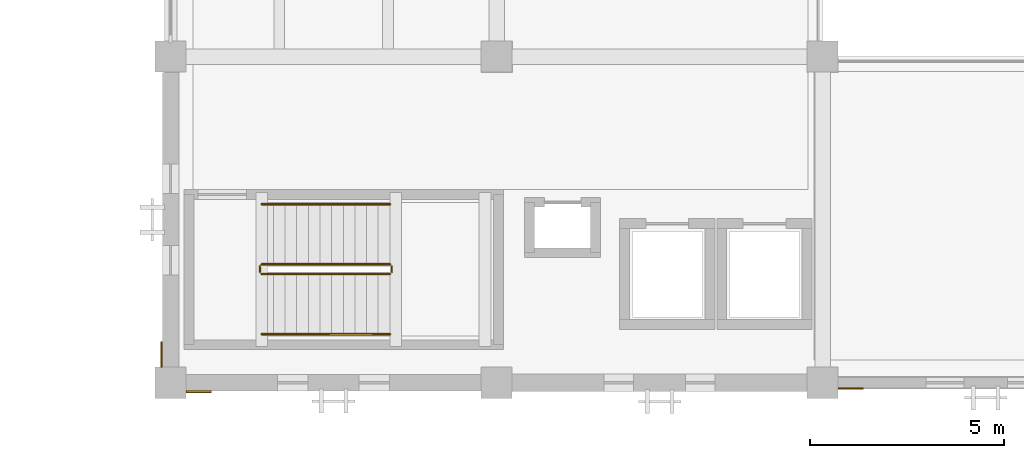
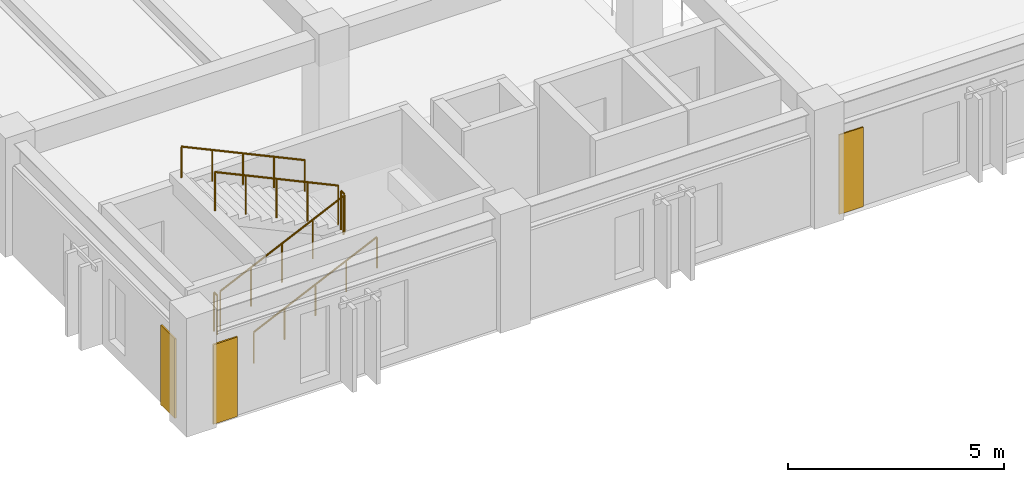
# One storey, part 97 of 111: 6 railings, 3 coverings.
"""IFC4 building model written with IfcOpenShell, lengths in metres."""

from ifc_helpers import new_model, si_unit, direction, frame, origin, origin_2d, place, context, subcontext, project, spatial, polyline, circle, outline, extrude, material, layer, layer_set, type_object, element, save


model = new_model("IFC4")

# Units and contexts
model_context = context("Model", 3, precision=1e-05, world=origin(), true_north=direction((0.0, 1.0)))
body_context = subcontext(model_context, "Body", "Model", "MODEL_VIEW")
ifc_project = project(units=[si_unit("LENGTHUNIT", "METRE"), si_unit("AREAUNIT", "SQUARE_METRE"), si_unit("VOLUMEUNIT", "CUBIC_METRE"), si_unit("PLANEANGLEUNIT", "RADIAN"), si_unit("MASSUNIT", "GRAM", prefix="KILO")], contexts=[model_context])

# Site, building, storey
site_placement = place(None, origin())
site = spatial("IfcSite", under=ifc_project, at=site_placement, CompositionType="ELEMENT")
building_placement = place(site_placement, origin())
building = spatial("IfcBuilding", under=site, at=building_placement, Name="Cumbredor Promenade Congress Hotel", CompositionType="ELEMENT")
storey_placement = place(building_placement, frame((0.0, 0.0, 15.1201171875)))
storey = spatial("IfcBuildingStorey", under=building, at=storey_placement, Name="L04", CompositionType="ELEMENT", Elevation=15.1201171875)

# Coverings
ifc_material_1 = material(Name="Precast concrete C40/50", Category="concrete")
ifc_layer_1 = layer(ifc_material_1, 0.044921875, Name="Precast concrete C40/50", Category="concrete")
ifc_layer_set_1 = layer_set([ifc_layer_1], Name="Precast concrete C40/50")
covering_type_1 = type_object("IfcCoveringType", Name="Board-Formed Architectural Cladding Panel 45mm", PredefinedType="CLADDING", material=ifc_layer_set_1)
covering_1_placement = place(storey_placement, origin())
element("IfcCovering", 1, at=covering_1_placement, inside=storey, type_object=covering_type_1, Name="L04 Facade Stone Cladding Pier 164", PredefinedType="CLADDING", context=body_context, shape_type="SweptSolid", body=[
    extrude(outline(polyline([(8.801025390625, 8.1875), (9.450927734375, 8.1875), (9.450927734375, 8.142578125), (8.801025390625, 8.142578125), (8.801025390625, 8.1875)])), origin(), (0.0, 0.0, 1.0), 2.25),
])
covering_2_placement = place(storey_placement, origin())
element("IfcCovering", 2, at=covering_2_placement, inside=storey, type_object=covering_type_1, Name="L04 Facade Stone Cladding Pier 170", PredefinedType="CLADDING", context=body_context, shape_type="SweptSolid", body=[
    extrude(outline(polyline([(8.1875, 8.801025390625), (8.1875, 9.450927734375), (8.142578125, 9.450927734375), (8.142578125, 8.801025390625), (8.1875, 8.801025390625)])), origin(), (0.0, 0.0, 1.0), 2.25),
])

# Railings
ifc_material_2 = material(Name="Brushed stainless steel", Category="steel")
railing_type_1 = type_object("IfcRailingType", Name="Interior Void & Stair Guardrail GR-1100", PredefinedType="GUARDRAIL", material=ifc_material_2)
railing_1_placement = place(storey_placement, frame((10.75, 11.199951171875, 0.139892578125)))
element("IfcRailing", 3, at=railing_1_placement, inside=storey, type_object=railing_type_1, Name="L04 ST-04 stair guard 1", PredefinedType="GUARDRAIL", context=body_context, shape_type="SweptSolid", body=[
    extrude(circle(Radius=0.02392578125, at=origin_2d()), frame((0.0, 0.0, 1.09619140625), z_axis=(0.906181427284, 0.0, 0.422889135408), x_axis=(0.0, 1.0, 0.0)), (0.0, 0.0, 1.0), 3.6416015625),
    extrude(circle(Radius=0.02099609375, at=origin_2d()), origin(), (0.0, 0.0, 1.0), 1.072021484375),
    extrude(circle(Radius=0.02099609375, at=origin_2d()), frame((0.824951171875, 0.0, 0.385009765625)), (0.0, 0.0, 1.0), 1.072021484375),
    extrude(circle(Radius=0.02099609375, at=origin_2d()), frame((1.64990234375, 0.0, 0.77001953125)), (0.0, 0.0, 1.0), 1.072021484375),
    extrude(circle(Radius=0.02099609375, at=origin_2d()), frame((2.47509765625, 0.0, 1.155029296875)), (0.0, 0.0, 1.0), 1.072021484375),
    extrude(circle(Radius=0.02099609375, at=origin_2d()), frame((3.300048828125, 0.0, 1.5400390625)), (0.0, 0.0, 1.0), 1.072021484375),
])
railing_2_placement = place(storey_placement, frame((14.10009765625, 11.25, 1.679931640625)))
element("IfcRailing", 4, at=railing_2_placement, inside=storey, type_object=railing_type_1, Name="L04 ST-04 stair guard 2", PredefinedType="GUARDRAIL", context=body_context, shape_type="SweptSolid", body=[
    extrude(circle(Radius=0.02392578125, at=origin_2d()), frame((0.0, 0.0, 1.09619140625), z_axis=(0.0, 1.0, 0.0), x_axis=(-1.0, 0.0, 0.0)), (0.0, 0.0, 1.0), 0.14990234375),
    extrude(circle(Radius=0.02099609375, at=origin_2d()), origin(), (0.0, 0.0, 1.0), 1.072021484375),
    extrude(circle(Radius=0.02099609375, at=origin_2d()), frame((0.0, 0.14990234375, 0.0)), (0.0, 0.0, 1.0), 1.072021484375),
])
railing_3_placement = place(storey_placement, frame((14.050048828125, 11.449951171875, 1.81982421875)))
element("IfcRailing", 5, at=railing_3_placement, inside=storey, type_object=railing_type_1, Name="L04 ST-04 stair guard 3", PredefinedType="GUARDRAIL", context=body_context, shape_type="SweptSolid", body=[
    extrude(circle(Radius=0.02392578125, at=origin_2d()), frame((0.0, 0.0, 1.09619140625), z_axis=(-0.906181427284, 0.0, 0.422889135408), x_axis=(0.0, -1.0, 0.0)), (0.0, 0.0, 1.0), 3.6416015625),
    extrude(circle(Radius=0.02099609375, at=origin_2d()), origin(), (0.0, 0.0, 1.0), 1.072021484375),
    extrude(circle(Radius=0.02099609375, at=origin_2d()), frame((-0.824951171875, 0.0, 0.385009765625)), (0.0, 0.0, 1.0), 1.072021484375),
    extrude(circle(Radius=0.02099609375, at=origin_2d()), frame((-1.64990234375, 0.0, 0.77001953125)), (0.0, 0.0, 1.0), 1.072021484375),
    extrude(circle(Radius=0.02099609375, at=origin_2d()), frame((-2.47509765625, 0.0, 1.155029296875)), (0.0, 0.0, 1.0), 1.072021484375),
    extrude(circle(Radius=0.02099609375, at=origin_2d()), frame((-3.300048828125, 0.0, 1.5400390625)), (0.0, 0.0, 1.0), 1.072021484375),
])
railing_4_placement = place(storey_placement, frame((10.699951171875, 11.25, 0.0)))
element("IfcRailing", 6, at=railing_4_placement, inside=storey, type_object=railing_type_1, Name="L04 ST-04 stair guard 4", PredefinedType="GUARDRAIL", context=body_context, shape_type="SweptSolid", body=[
    extrude(circle(Radius=0.02392578125, at=origin_2d()), frame((0.0, 0.0, 1.09619140625), z_axis=(0.0, 1.0, 0.0), x_axis=(-1.0, 0.0, 0.0)), (0.0, 0.0, 1.0), 0.14990234375),
    extrude(circle(Radius=0.02099609375, at=origin_2d()), origin(), (0.0, 0.0, 1.0), 1.072021484375),
    extrude(circle(Radius=0.02099609375, at=origin_2d()), frame((0.0, 0.14990234375, 0.0)), (0.0, 0.0, 1.0), 1.072021484375),
])
railing_type_2 = type_object("IfcRailingType", Name="Stair Pitch Handrail HR-900", PredefinedType="HANDRAIL", material=ifc_material_2)
railing_5_placement = place(storey_placement, frame((10.75, 9.64990234375, 0.139892578125)))
element("IfcRailing", 7, at=railing_5_placement, inside=storey, type_object=railing_type_2, Name="L04 ST-04 stair handrail 1", PredefinedType="HANDRAIL", context=body_context, shape_type="SweptSolid", body=[
    extrude(circle(Radius=0.02392578125, at=origin_2d()), frame((0.0, 0.0, 0.8759765625), z_axis=(0.906181427284, 0.0, 0.422889135408), x_axis=(0.0, 1.0, 0.0)), (0.0, 0.0, 1.0), 3.6416015625),
    extrude(circle(Radius=0.02099609375, at=origin_2d()), origin(), (0.0, 0.0, 1.0), 0.851806640625),
    extrude(circle(Radius=0.02099609375, at=origin_2d()), frame((0.824951171875, 0.0, 0.385009765625)), (0.0, 0.0, 1.0), 0.851806640625),
    extrude(circle(Radius=0.02099609375, at=origin_2d()), frame((1.64990234375, 0.0, 0.77001953125)), (0.0, 0.0, 1.0), 0.851806640625),
    extrude(circle(Radius=0.02099609375, at=origin_2d()), frame((2.47509765625, 0.0, 1.155029296875)), (0.0, 0.0, 1.0), 0.851806640625),
    extrude(circle(Radius=0.02099609375, at=origin_2d()), frame((3.300048828125, 0.0, 1.5400390625)), (0.0, 0.0, 1.0), 0.851806640625),
])
railing_6_placement = place(storey_placement, frame((14.050048828125, 13.0, 1.81982421875)))
element("IfcRailing", 8, at=railing_6_placement, inside=storey, type_object=railing_type_2, Name="L04 ST-04 stair handrail 2", PredefinedType="HANDRAIL", context=body_context, shape_type="SweptSolid", body=[
    extrude(circle(Radius=0.02392578125, at=origin_2d()), frame((0.0, 0.0, 0.8759765625), z_axis=(-0.906181427284, 0.0, 0.422889135408), x_axis=(0.0, -1.0, 0.0)), (0.0, 0.0, 1.0), 3.6416015625),
    extrude(circle(Radius=0.02099609375, at=origin_2d()), origin(), (0.0, 0.0, 1.0), 0.851806640625),
    extrude(circle(Radius=0.02099609375, at=origin_2d()), frame((-0.824951171875, 0.0, 0.385009765625)), (0.0, 0.0, 1.0), 0.851806640625),
    extrude(circle(Radius=0.02099609375, at=origin_2d()), frame((-1.64990234375, 0.0, 0.77001953125)), (0.0, 0.0, 1.0), 0.851806640625),
    extrude(circle(Radius=0.02099609375, at=origin_2d()), frame((-2.47509765625, 0.0, 1.155029296875)), (0.0, 0.0, 1.0), 0.851806640625),
    extrude(circle(Radius=0.02099609375, at=origin_2d()), frame((-3.300048828125, 0.0, 1.5400390625)), (0.0, 0.0, 1.0), 0.851806640625),
])

# Covering
ifc_material_3 = material(Name="Volcanic andesite ashlar cladding", Category="masonry")
ifc_layer_2 = layer(ifc_material_3, 0.034912109375, Name="Volcanic andesite ashlar cladding", Category="masonry")
ifc_layer_set_2 = layer_set([ifc_layer_2], Name="Volcanic andesite ashlar cladding")
covering_type_2 = type_object("IfcCoveringType", Name="Volcanic Andesite Ashlar Rainscreen Cladding 35mm", PredefinedType="CLADDING", material=ifc_layer_set_2)
covering_3_placement = place(storey_placement, origin())
element("IfcCovering", 9, at=covering_3_placement, inside=storey, type_object=covering_type_2, Name="L04 Facade Stone Cladding Pier 165", PredefinedType="CLADDING", context=body_context, shape_type="SweptSolid", body=[
    extrude(outline(polyline([(25.60107421875, 8.27001953125), (26.2509765625, 8.27001953125), (26.2509765625, 8.235107421875), (25.60107421875, 8.235107421875), (25.60107421875, 8.27001953125)])), origin(), (0.0, 0.0, 1.0), 2.25),
])

save(model, "model.ifc")
